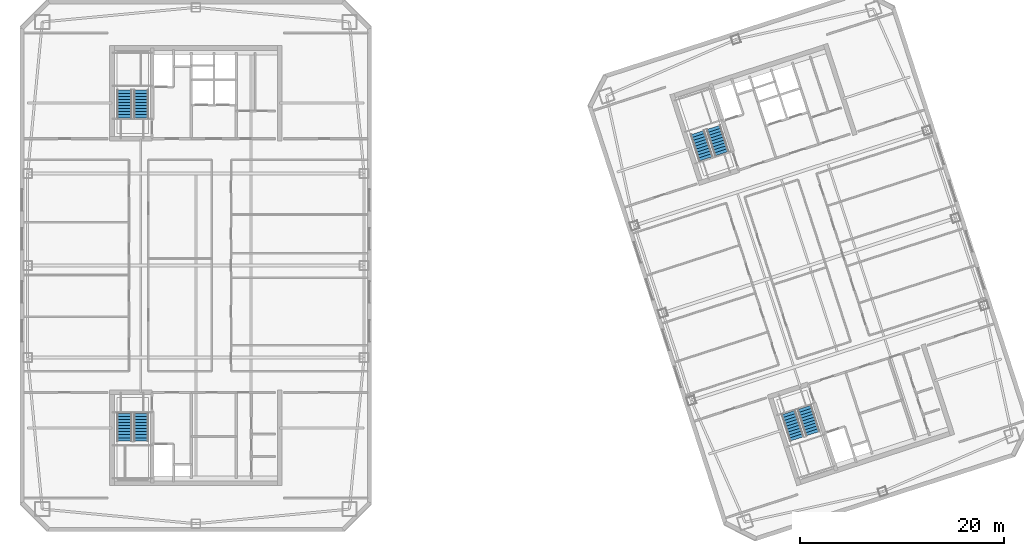
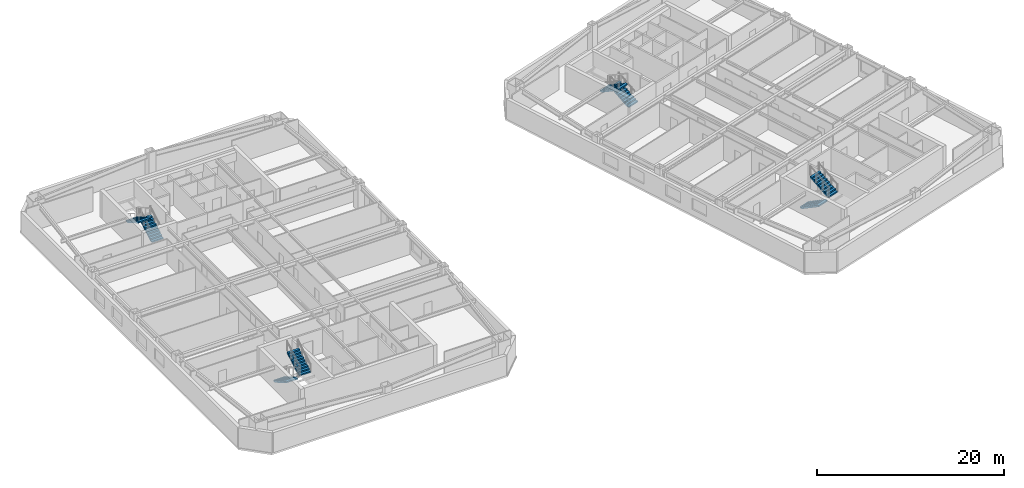
# One storey, part 11 of 13: 8 stair flights, 4 elements without a shape of their own.
"""IFC4 building model written with IfcOpenShell, lengths in metres."""

import ifcopenshell
import ifcopenshell.guid

model = None  # the IFC model being written
_history = None  # IfcOwnerHistory: only IFC2X3 demands one
_inside = {}  # id of a spatial element -> (the spatial element, [elements in it])
_under = {}  # id of a project, library or spatial element -> (it, [spatial elements below it])
_declared = {}  # id of a project -> (the project, [libraries it declares])
_typed = {}  # id of a type object -> (the type object, [elements of that type])
_made_of = {}  # id of a material, layer set ... -> (it, [elements and type objects made of it])


def new_model(schema):
    """Start an empty IFC model of exactly this schema.

    Asked for "IFC4X3", IfcOpenShell would pick the latest addendum, in which some entities
    have other attributes; the version numbers below select the first issue.
    IFC2X3 requires an IfcOwnerHistory on every rooted entity: one is made here for all.
    """
    global model, _history
    if schema == "IFC4X3":
        model = ifcopenshell.file(schema_version=(4, 3, 0, 0))
    else:
        model = ifcopenshell.file(schema=schema)
    _inside.clear()
    _under.clear()
    _declared.clear()
    _typed.clear()
    _made_of.clear()
    _history = None
    if model.schema == "IFC2X3":
        org = make("IfcOrganization", Name="unknown")
        user = make(
            "IfcPersonAndOrganization",
            ThePerson=make("IfcPerson", FamilyName="unknown"),
            TheOrganization=org,
        )
        app = make(
            "IfcApplication",
            ApplicationDeveloper=org,
            Version="unknown",
            ApplicationFullName="unknown",
            ApplicationIdentifier="unknown",
        )
        _history = make(
            "IfcOwnerHistory",
            OwningUser=user,
            OwningApplication=app,
            ChangeAction="ADDED",
            CreationDate=0,
        )
    return model


def make(cls, **values):
    """One entity of the class cls with the attributes given. An attribute that is None is left unset."""
    return model.create_entity(
        cls, **{name: value for name, value in values.items() if value is not None}
    )


def rooted(cls, **values):
    """An entity with a GlobalId (a new one), such as an element, a storey or a relation."""
    return make(cls, GlobalId=ifcopenshell.guid.new(), OwnerHistory=_history, **values)


def si_unit(unit_type, name, prefix=None):
    """IfcSIUnit, for example si_unit("LENGTHUNIT", "METRE", prefix="MILLI")."""
    return make("IfcSIUnit", UnitType=unit_type, Prefix=prefix, Name=name)


def assignment(units):
    """IfcUnitAssignment: the units of a project."""
    return None if units is None else make("IfcUnitAssignment", Units=units)


def point(xyz):
    """IfcCartesianPoint."""
    return None if xyz is None else make("IfcCartesianPoint", Coordinates=xyz)


def direction(xyz):
    """IfcDirection."""
    return None if xyz is None else make("IfcDirection", DirectionRatios=xyz)


def frame(location, z_axis=None, x_axis=None):
    """IfcAxis2Placement3D, a coordinate frame: its origin and axes. An axis left out is left unset."""
    return make(
        "IfcAxis2Placement3D",
        Location=point(location),
        Axis=direction(z_axis),
        RefDirection=direction(x_axis),
    )


def origin():
    """The frame at (0, 0, 0) with its axes left unset."""
    return frame((0.0, 0.0, 0.0))


def place(relative_to, where):
    """IfcLocalPlacement: puts the frame where relative to a parent placement (None: the world)."""
    return make(
        "IfcLocalPlacement", PlacementRelTo=relative_to, RelativePlacement=where
    )


def context(
    kind, dimensions, precision=None, world=None, true_north=None, identifier=None
):
    """IfcGeometricRepresentationContext, for example the 3D "Model" context."""
    return make(
        "IfcGeometricRepresentationContext",
        ContextIdentifier=identifier,
        ContextType=kind,
        CoordinateSpaceDimension=dimensions,
        Precision=precision,
        WorldCoordinateSystem=world,
        TrueNorth=true_north,
    )


def subcontext(parent, identifier, kind, view, scale=None):
    """IfcGeometricRepresentationSubContext, for example "Body" below "Model"."""
    return make(
        "IfcGeometricRepresentationSubContext",
        ContextIdentifier=identifier,
        ContextType=kind,
        ParentContext=parent,
        TargetScale=scale,
        TargetView=view,
    )


def project(units=None, contexts=None):
    """IfcProject with its units and contexts."""
    return rooted(
        "IfcProject",
        Name="project",
        RepresentationContexts=contexts,
        UnitsInContext=assignment(units),
    )


def spatial(cls, under=None, at=None, **own):
    """A site, building, storey or space (cls), placed at a placement, below another one or the project."""
    s = rooted(cls, ObjectPlacement=at, **own)
    if under is not None:
        _under.setdefault(under.id(), (under, []))[1].append(s)
    return s


def polyline(points):
    """IfcPolyline through the points."""
    return make("IfcPolyline", Points=[point(p) for p in points])


def outline(outer, holes=None, kind="AREA"):
    """IfcArbitraryClosedProfileDef: a profile drawn as a closed curve; with holes, ...WithVoids."""
    if holes is None:
        return make("IfcArbitraryClosedProfileDef", ProfileType=kind, OuterCurve=outer)
    return make(
        "IfcArbitraryProfileDefWithVoids",
        ProfileType=kind,
        OuterCurve=outer,
        InnerCurves=holes,
    )


def extrude(swept, where, along, depth):
    """IfcExtrudedAreaSolid: the profile swept, set in the frame where, extruded along a direction by depth."""
    return make(
        "IfcExtrudedAreaSolid",
        SweptArea=swept,
        Position=where,
        ExtrudedDirection=direction(along),
        Depth=depth,
    )


def shape(context_of_items, identifier, shape_type, items):
    """IfcShapeRepresentation: the items that make up one representation, for example the "Body"."""
    return make(
        "IfcShapeRepresentation",
        ContextOfItems=context_of_items,
        RepresentationIdentifier=identifier,
        RepresentationType=shape_type,
        Items=items,
    )


def material(Name=None, Category=None):
    """IfcMaterial."""
    return make("IfcMaterial", Name=Name, Category=Category)


def made_of(thing, what):
    """Note that an element or type object is made of a material, layer set ...; save() writes the relation."""
    if what is not None:
        _made_of.setdefault(what.id(), (what, []))[1].append(thing)
    return thing


def type_object(cls, material=None, **own):
    """A type object (cls), such as IfcWallType, which elements share."""
    return made_of(rooted(cls, **own), material)


def element(
    cls,
    number,
    at=None,
    inside=None,
    cuts=None,
    type_object=None,
    material=None,
    context=None,
    identifier="Body",
    shape_type=None,
    held_by="IfcProductDefinitionShape",
    body=None,
    shapes=None,
    **own,
):
    """One element of the class cls, such as IfcWall. Its Tag is "e" and its number.

    at: its placement. inside: the storey or other place that contains it. cuts: it is an
    opening in that element (IfcRelVoidsElement). A single representation is given by context,
    identifier, shape_type and body (its items); several are given by shapes. held_by: the class
    of the entity that holds the representations. save() writes the other relations.
    """
    e = rooted(cls, Tag="e%d" % number, ObjectPlacement=at, **own)
    if body is not None:
        shapes = [shape(context, identifier, shape_type, body)]
    if shapes is not None:
        e.Representation = make(held_by, Representations=shapes)
    if inside is not None:
        _inside.setdefault(inside.id(), (inside, []))[1].append(e)
    if cuts is not None:
        rooted(
            "IfcRelVoidsElement", RelatingBuildingElement=cuts, RelatedOpeningElement=e
        )
    if type_object is not None:
        _typed.setdefault(type_object.id(), (type_object, []))[1].append(e)
    return made_of(e, material)


def aggregate(whole, parts):
    """IfcRelAggregates: a whole, such as a stair, and the parts it consists of."""
    return rooted("IfcRelAggregates", RelatingObject=whole, RelatedObjects=parts)


def save(model, path):
    """Write the relations noted so far, then the file.

    IfcRelAggregates (storeys below a building ...), IfcRelContainedInSpatialStructure (elements
    in a storey), IfcRelDefinesByType, IfcRelAssociatesMaterial and IfcRelDeclares: one each for
    every whole, place, type object, material and project.
    """
    for whole, parts in _under.values():
        aggregate(whole, parts)
    for where, things in _inside.values():
        rooted(
            "IfcRelContainedInSpatialStructure",
            RelatedElements=things,
            RelatingStructure=where,
        )
    for kind, things in _typed.values():
        rooted("IfcRelDefinesByType", RelatedObjects=things, RelatingType=kind)
    for what, things in _made_of.values():
        rooted("IfcRelAssociatesMaterial", RelatedObjects=things, RelatingMaterial=what)
    for by, libraries in _declared.values():
        rooted("IfcRelDeclares", RelatingContext=by, RelatedDefinitions=libraries)
    model.write(path)


model = new_model("IFC4")

# Units and contexts
model_context = context("Model", 3, precision=1e-05, world=origin(), true_north=direction((0.0, 1.0)))
body_context = subcontext(model_context, "Body", "Model", "MODEL_VIEW")
ifc_project = project(units=[si_unit("LENGTHUNIT", "METRE"), si_unit("AREAUNIT", "SQUARE_METRE"), si_unit("VOLUMEUNIT", "CUBIC_METRE"), si_unit("PLANEANGLEUNIT", "RADIAN"), si_unit("MASSUNIT", "GRAM", prefix="KILO")], contexts=[model_context])

# Site, building, storey
site_placement = place(None, origin())
site = spatial("IfcSite", under=ifc_project, at=site_placement, CompositionType="ELEMENT")
building_placement = place(site_placement, origin())
building = spatial("IfcBuilding", under=site, at=building_placement, Name="Qiaolan Cultural Towers", CompositionType="ELEMENT")
storey_placement = place(building_placement, frame((0.0, 0.0, 192.050048828125)))
storey = spatial("IfcBuildingStorey", under=building, at=storey_placement, Name="L51", CompositionType="ELEMENT", Elevation=192.050048828125)

# Stair, stair flights
ifc_material_1 = material(Name="Concrete C45", Category="concrete")
stair_type = type_object("IfcStairType", Name="STR-CORE-1500", PredefinedType="HALF_TURN_STAIR", material=ifc_material_1)
stair_1_placement = place(storey_placement, origin())
stair_1 = element("IfcStair", 1, at=stair_1_placement, inside=storey, type_object=stair_type, Name="L51 Smokeproof Exit Stair ST-W1", PredefinedType="HALF_TURN_STAIR")
ifc_material_2 = material(Name="Concrete C45", Category="concrete")
stair_flight_type = type_object("IfcStairFlightType", Name="STR-CORE-1500-FL", PredefinedType="STRAIGHT", material=ifc_material_2)
stair_flight_1_placement = place(storey_placement, frame((23.02001953125, 19.550048828125, 0.0), z_axis=(0.0, 0.0, 1.0), x_axis=(0.0, -1.0, 0.0)))
stair_flight_1 = element("IfcStairFlight", 2, at=stair_flight_1_placement, type_object=stair_flight_type, Name="ST-W1 flight 1", NumberOfRisers=10, NumberOfTreads=9, PredefinedType="STRAIGHT", RiserHeight=0.1725, TreadLength=0.3, context=body_context, shape_type="SweptSolid", body=[
    extrude(outline(polyline([(0.0, 0.0), (0.0, 0.172607421875), (0.300048828125, 0.172607421875), (0.300048828125, 0.344970703125), (0.60009765625, 0.344970703125), (0.60009765625, 0.517578125), (0.89990234375, 0.517578125), (0.89990234375, 0.68994140625), (1.199951171875, 0.68994140625), (1.199951171875, 0.862548828125), (1.5, 0.862548828125), (1.5, 1.034912109375), (1.800048828125, 1.034912109375), (1.800048828125, 1.20751953125), (2.10009765625, 1.20751953125), (2.10009765625, 1.3798828125), (2.39990234375, 1.3798828125), (2.39990234375, 1.552490234375), (2.699951171875, 1.552490234375), (2.699951171875, 1.72509765625), (2.699951171875, 1.379638671875), (0.30078125, 0.0), (0.0, 0.0)])), frame((0.0, 0.719970703125, 0.0), z_axis=(0.0, -1.0, 0.0), x_axis=(1.0, 0.0, 0.0)), (0.0, 0.0, 1.0), 1.43994140625),
])
stair_flight_2_placement = place(storey_placement, frame((24.659912109375, 16.85009765625, 1.724853515625), z_axis=(0.0, 0.0, 1.0), x_axis=(0.0, 1.0, 0.0)))
stair_flight_2 = element("IfcStairFlight", 3, at=stair_flight_2_placement, type_object=stair_flight_type, Name="ST-W1 flight 2", NumberOfRisers=10, NumberOfTreads=9, PredefinedType="STRAIGHT", RiserHeight=0.1725, TreadLength=0.3, context=body_context, shape_type="SweptSolid", body=[
    extrude(outline(polyline([(0.0, 0.0), (0.0, 0.172607421875), (0.300048828125, 0.172607421875), (0.300048828125, 0.344970703125), (0.60009765625, 0.344970703125), (0.60009765625, 0.517578125), (0.89990234375, 0.517578125), (0.89990234375, 0.68994140625), (1.199951171875, 0.68994140625), (1.199951171875, 0.862548828125), (1.5, 0.862548828125), (1.5, 1.034912109375), (1.800048828125, 1.034912109375), (1.800048828125, 1.20751953125), (2.10009765625, 1.20751953125), (2.10009765625, 1.3798828125), (2.39990234375, 1.3798828125), (2.39990234375, 1.552490234375), (2.699951171875, 1.552490234375), (2.699951171875, 1.72509765625), (2.699951171875, 1.379638671875), (0.30078125, 0.0), (0.0, 0.0)])), frame((0.0, 0.719970703125, 0.0), z_axis=(0.0, -1.0, 0.0), x_axis=(1.0, 0.0, 0.0)), (0.0, 0.0, 1.0), 1.43994140625),
])
aggregate(stair_1, [stair_flight_1, stair_flight_2])

stair_2_placement = place(storey_placement, origin())
stair_2 = element("IfcStair", 4, at=stair_2_placement, inside=storey, type_object=stair_type, Name="L51 Smokeproof Exit Stair ST-W2", PredefinedType="HALF_TURN_STAIR")
stair_flight_3_placement = place(storey_placement, frame((24.659912109375, 48.449951171875, 0.0), z_axis=(0.0, 0.0, 1.0), x_axis=(0.0, 1.0, 0.0)))
stair_flight_3 = element("IfcStairFlight", 5, at=stair_flight_3_placement, type_object=stair_flight_type, Name="ST-W2 flight 1", NumberOfRisers=10, NumberOfTreads=9, PredefinedType="STRAIGHT", RiserHeight=0.1725, TreadLength=0.3, context=body_context, shape_type="SweptSolid", body=[
    extrude(outline(polyline([(0.0, 0.0), (0.0, 0.172607421875), (0.300048828125, 0.172607421875), (0.300048828125, 0.344970703125), (0.60009765625, 0.344970703125), (0.60009765625, 0.517578125), (0.89990234375, 0.517578125), (0.89990234375, 0.68994140625), (1.199951171875, 0.68994140625), (1.199951171875, 0.862548828125), (1.5, 0.862548828125), (1.5, 1.034912109375), (1.800048828125, 1.034912109375), (1.800048828125, 1.20751953125), (2.10009765625, 1.20751953125), (2.10009765625, 1.3798828125), (2.39990234375, 1.3798828125), (2.39990234375, 1.552490234375), (2.699951171875, 1.552490234375), (2.699951171875, 1.72509765625), (2.699951171875, 1.379638671875), (0.30078125, 0.0), (0.0, 0.0)])), frame((0.0, 0.719970703125, 0.0), z_axis=(0.0, -1.0, 0.0), x_axis=(1.0, 0.0, 0.0)), (0.0, 0.0, 1.0), 1.43994140625),
])
stair_flight_4_placement = place(storey_placement, frame((23.02001953125, 51.14990234375, 1.724853515625), z_axis=(0.0, 0.0, 1.0), x_axis=(0.0, -1.0, 0.0)))
stair_flight_4 = element("IfcStairFlight", 6, at=stair_flight_4_placement, type_object=stair_flight_type, Name="ST-W2 flight 2", NumberOfRisers=10, NumberOfTreads=9, PredefinedType="STRAIGHT", RiserHeight=0.1725, TreadLength=0.3, context=body_context, shape_type="SweptSolid", body=[
    extrude(outline(polyline([(0.0, 0.0), (0.0, 0.172607421875), (0.300048828125, 0.172607421875), (0.300048828125, 0.344970703125), (0.60009765625, 0.344970703125), (0.60009765625, 0.517578125), (0.89990234375, 0.517578125), (0.89990234375, 0.68994140625), (1.199951171875, 0.68994140625), (1.199951171875, 0.862548828125), (1.5, 0.862548828125), (1.5, 1.034912109375), (1.800048828125, 1.034912109375), (1.800048828125, 1.20751953125), (2.10009765625, 1.20751953125), (2.10009765625, 1.3798828125), (2.39990234375, 1.3798828125), (2.39990234375, 1.552490234375), (2.699951171875, 1.552490234375), (2.699951171875, 1.72509765625), (2.699951171875, 1.379638671875), (0.30078125, 0.0), (0.0, 0.0)])), frame((0.0, 0.719970703125, 0.0), z_axis=(0.0, -1.0, 0.0), x_axis=(1.0, 0.0, 0.0)), (0.0, 0.0, 1.0), 1.43994140625),
])
aggregate(stair_2, [stair_flight_3, stair_flight_4])

stair_3_placement = place(storey_placement, origin())
stair_3 = element("IfcStair", 7, at=stair_3_placement, inside=storey, type_object=stair_type, Name="L51 Smokeproof Exit Stair ST-E1", PredefinedType="HALF_TURN_STAIR")
stair_flight_5_placement = place(storey_placement, frame((87.96484375, 19.6171875, 0.0), z_axis=(0.0, 0.0, 1.0), x_axis=(0.309016994375, -0.951056516295, 0.0)))
stair_flight_5 = element("IfcStairFlight", 8, at=stair_flight_5_placement, type_object=stair_flight_type, Name="ST-E1 flight 1", NumberOfRisers=10, NumberOfTreads=9, PredefinedType="STRAIGHT", RiserHeight=0.1725, TreadLength=0.3, context=body_context, shape_type="SweptSolid", body=[
    extrude(outline(polyline([(0.0, 0.0), (0.0, 0.172607421875), (0.300048828125, 0.172607421875), (0.300048828125, 0.344970703125), (0.60009765625, 0.344970703125), (0.60009765625, 0.517578125), (0.89990234375, 0.517578125), (0.89990234375, 0.68994140625), (1.199951171875, 0.68994140625), (1.199951171875, 0.862548828125), (1.5, 0.862548828125), (1.5, 1.034912109375), (1.800048828125, 1.034912109375), (1.800048828125, 1.20751953125), (2.10009765625, 1.20751953125), (2.10009765625, 1.3798828125), (2.39990234375, 1.3798828125), (2.39990234375, 1.552490234375), (2.699951171875, 1.552490234375), (2.699951171875, 1.72509765625), (2.699951171875, 1.379638671875), (0.30078125, 0.0), (0.0, 0.0)])), frame((0.0, 0.719970703125, 0.0), z_axis=(0.0, -1.0, 0.0), x_axis=(1.0, 0.0, 0.0)), (0.0, 0.0, 1.0), 1.43994140625),
])
stair_flight_6_placement = place(storey_placement, frame((90.359130859375, 17.55615234375, 1.724853515625), z_axis=(0.0, 0.0, 1.0), x_axis=(-0.309016994375, 0.951056516295, 0.0)))
stair_flight_6 = element("IfcStairFlight", 9, at=stair_flight_6_placement, type_object=stair_flight_type, Name="ST-E1 flight 2", NumberOfRisers=10, NumberOfTreads=9, PredefinedType="STRAIGHT", RiserHeight=0.1725, TreadLength=0.3, context=body_context, shape_type="SweptSolid", body=[
    extrude(outline(polyline([(0.0, 0.0), (0.0, 0.172607421875), (0.300048828125, 0.172607421875), (0.300048828125, 0.344970703125), (0.60009765625, 0.344970703125), (0.60009765625, 0.517578125), (0.89990234375, 0.517578125), (0.89990234375, 0.68994140625), (1.199951171875, 0.68994140625), (1.199951171875, 0.862548828125), (1.5, 0.862548828125), (1.5, 1.034912109375), (1.800048828125, 1.034912109375), (1.800048828125, 1.20751953125), (2.10009765625, 1.20751953125), (2.10009765625, 1.3798828125), (2.39990234375, 1.3798828125), (2.39990234375, 1.552490234375), (2.699951171875, 1.552490234375), (2.699951171875, 1.72509765625), (2.699951171875, 1.379638671875), (0.30078125, 0.0), (0.0, 0.0)])), frame((0.0, 0.719970703125, 0.0), z_axis=(0.0, -1.0, 0.0), x_axis=(1.0, 0.0, 0.0)), (0.0, 0.0, 1.0), 1.43994140625),
])
aggregate(stair_3, [stair_flight_5, stair_flight_6])

stair_4_placement = place(storey_placement, origin())
stair_4 = element("IfcStair", 10, at=stair_4_placement, inside=storey, type_object=stair_type, Name="L51 Smokeproof Exit Stair ST-E2", PredefinedType="HALF_TURN_STAIR")
stair_flight_7_placement = place(storey_placement, frame((81.459228515625, 44.946533203125, 0.0), z_axis=(0.0, 0.0, 1.0), x_axis=(-0.309016994375, 0.951056516295, 0.0)))
stair_flight_7 = element("IfcStairFlight", 11, at=stair_flight_7_placement, type_object=stair_flight_type, Name="ST-E2 flight 1", NumberOfRisers=10, NumberOfTreads=9, PredefinedType="STRAIGHT", RiserHeight=0.1725, TreadLength=0.3, context=body_context, shape_type="SweptSolid", body=[
    extrude(outline(polyline([(0.0, 0.0), (0.0, 0.172607421875), (0.300048828125, 0.172607421875), (0.300048828125, 0.344970703125), (0.60009765625, 0.344970703125), (0.60009765625, 0.517578125), (0.89990234375, 0.517578125), (0.89990234375, 0.68994140625), (1.199951171875, 0.68994140625), (1.199951171875, 0.862548828125), (1.5, 0.862548828125), (1.5, 1.034912109375), (1.800048828125, 1.034912109375), (1.800048828125, 1.20751953125), (2.10009765625, 1.20751953125), (2.10009765625, 1.3798828125), (2.39990234375, 1.3798828125), (2.39990234375, 1.552490234375), (2.699951171875, 1.552490234375), (2.699951171875, 1.72509765625), (2.699951171875, 1.379638671875), (0.30078125, 0.0), (0.0, 0.0)])), frame((0.0, 0.719970703125, 0.0), z_axis=(0.0, -1.0, 0.0), x_axis=(1.0, 0.0, 0.0)), (0.0, 0.0, 1.0), 1.43994140625),
])
stair_flight_8_placement = place(storey_placement, frame((79.065185546875, 47.007568359375, 1.724853515625), z_axis=(0.0, 0.0, 1.0), x_axis=(0.309016994375, -0.951056516295, 0.0)))
stair_flight_8 = element("IfcStairFlight", 12, at=stair_flight_8_placement, type_object=stair_flight_type, Name="ST-E2 flight 2", NumberOfRisers=10, NumberOfTreads=9, PredefinedType="STRAIGHT", RiserHeight=0.1725, TreadLength=0.3, context=body_context, shape_type="SweptSolid", body=[
    extrude(outline(polyline([(0.0, 0.0), (0.0, 0.172607421875), (0.300048828125, 0.172607421875), (0.300048828125, 0.344970703125), (0.60009765625, 0.344970703125), (0.60009765625, 0.517578125), (0.89990234375, 0.517578125), (0.89990234375, 0.68994140625), (1.199951171875, 0.68994140625), (1.199951171875, 0.862548828125), (1.5, 0.862548828125), (1.5, 1.034912109375), (1.800048828125, 1.034912109375), (1.800048828125, 1.20751953125), (2.10009765625, 1.20751953125), (2.10009765625, 1.3798828125), (2.39990234375, 1.3798828125), (2.39990234375, 1.552490234375), (2.699951171875, 1.552490234375), (2.699951171875, 1.72509765625), (2.699951171875, 1.379638671875), (0.30078125, 0.0), (0.0, 0.0)])), frame((0.0, 0.719970703125, 0.0), z_axis=(0.0, -1.0, 0.0), x_axis=(1.0, 0.0, 0.0)), (0.0, 0.0, 1.0), 1.43994140625),
])
aggregate(stair_4, [stair_flight_7, stair_flight_8])

save(model, "model.ifc")
